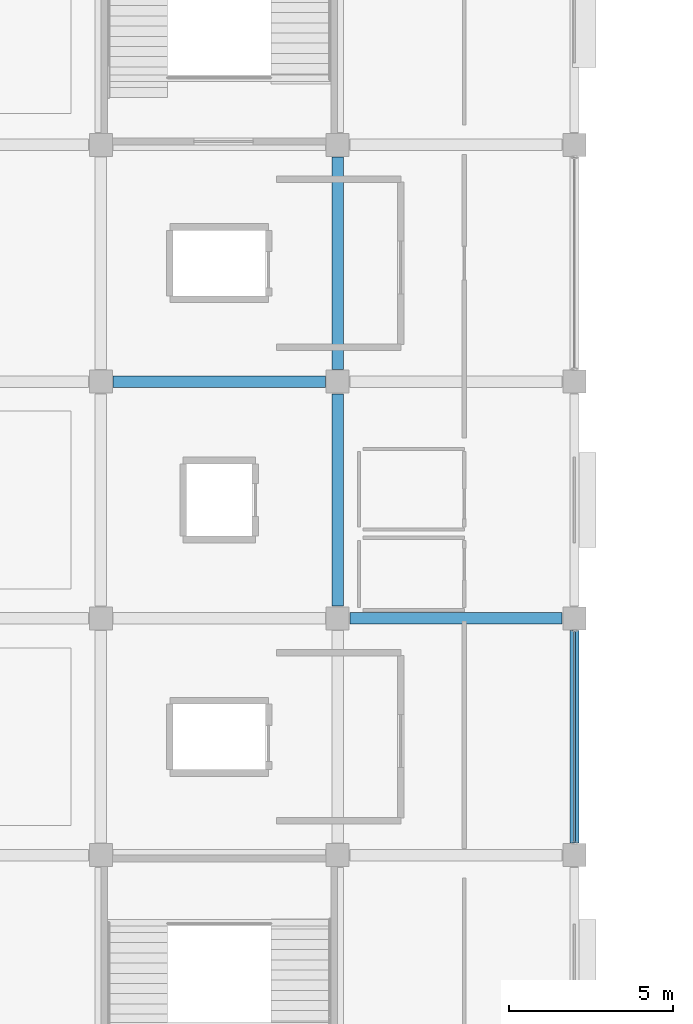
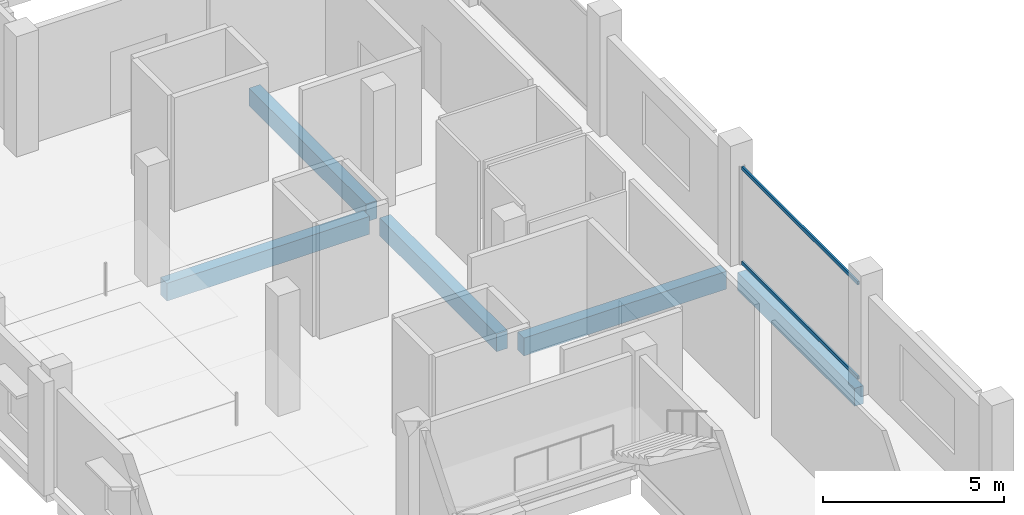
# One storey, part 12 of 77: 5 beams, 2 members, 1 element without a shape of its own.
"""IFC4 building model written with IfcOpenShell, lengths in metres."""

from ifc_helpers import new_model, si_unit, direction, frame, origin, origin_2d, place, context, subcontext, project, spatial, rectangle, hollow_rectangle, extrude, material, layer, layer_set, material_profile, profile_set, type_object, element, aggregate, save


model = new_model("IFC4")

# Units and contexts
model_context = context("Model", 3, precision=1e-05, world=origin(), true_north=direction((0.0, 1.0)))
body_context = subcontext(model_context, "Body", "Model", "MODEL_VIEW")
ifc_project = project(units=[si_unit("LENGTHUNIT", "METRE"), si_unit("AREAUNIT", "SQUARE_METRE"), si_unit("VOLUMEUNIT", "CUBIC_METRE"), si_unit("PLANEANGLEUNIT", "RADIAN"), si_unit("MASSUNIT", "GRAM", prefix="KILO")], contexts=[model_context])

# Site, building, storey
site_placement = place(None, origin())
site = spatial("IfcSite", under=ifc_project, at=site_placement, CompositionType="ELEMENT")
building_placement = place(site_placement, origin())
building = spatial("IfcBuilding", under=site, at=building_placement, Name="Kangsadwip Square Police Headquarters", CompositionType="ELEMENT")
storey_placement = place(building_placement, frame((0.0, 0.0, 17.550048828125)))
storey = spatial("IfcBuildingStorey", under=building, at=storey_placement, Name="L04", CompositionType="ELEMENT", Elevation=17.550048828125)

# Curtain wall, members
ifc_material_1 = material(Name="Thermally broken anodised aluminium AW-6063-T6", Category="aluminium")
ifc_layer = layer(ifc_material_1, 0.159912109375)
ifc_layer_set = layer_set([ifc_layer], Name="Thermally broken anodised aluminium AW-6063-T6")
curtain_wall_type = type_object("IfcCurtainWallType", Name="CourtScreen6510x3300", PredefinedType="USERDEFINED", material=ifc_layer_set)
curtain_wall_placement = place(storey_placement, origin())
curtain_wall = element("IfcCurtainWall", 1, at=curtain_wall_placement, inside=storey, type_object=curtain_wall_type, Name="Curtain Wall CW-L04-0216-0507", ObjectType="GLAZED_SCREEN", PredefinedType="USERDEFINED")
ifc_material_2 = material(Name="Thermally broken anodised aluminium AW-6063-T6", Category="aluminium")
ifc_material_profile_1 = material_profile(ifc_material_2, hollow_rectangle(XDim=0.06005859375, YDim=0.1201171875, WallThickness=0.00390625, at=origin_2d()), Name="CWT 120X60X4")
ifc_profile_set_1 = profile_set([ifc_material_profile_1], Name="Thermally broken anodised aluminium AW-6063-T6")
member_type = type_object("IfcMemberType", Name="CwTransom120x55", PredefinedType="USERDEFINED", material=ifc_profile_set_1)
member_1_placement = place(storey_placement, frame((21.60009765625, 50.804931640625, 0.06005859375), z_axis=(0.0, 1.0, 0.0), x_axis=(-1.0, 0.0, 0.0)))
member_1 = element("IfcMember", 2, at=member_1_placement, type_object=member_type, Name="CW-46 transom 1.1", ObjectType="TRANSOM", PredefinedType="USERDEFINED", context=body_context, shape_type="SweptSolid", body=[
    extrude(hollow_rectangle(XDim=0.06005859375, YDim=0.1201171875, WallThickness=0.00390625, at=origin_2d()), origin(), (0.0, 0.0, 1.0), 6.39013671875),
])
member_2_placement = place(storey_placement, frame((21.60009765625, 50.804931640625, 3.239990234375), z_axis=(0.0, 1.0, 0.0), x_axis=(-1.0, 0.0, 0.0)))
member_2 = element("IfcMember", 3, at=member_2_placement, type_object=member_type, Name="CW-46 transom 1.2", ObjectType="TRANSOM", PredefinedType="USERDEFINED", context=body_context, shape_type="SweptSolid", body=[
    extrude(hollow_rectangle(XDim=0.06005859375, YDim=0.1201171875, WallThickness=0.00390625, at=origin_2d()), origin(), (0.0, 0.0, 1.0), 6.39013671875),
])
aggregate(curtain_wall, [member_1, member_2])

# Beams
ifc_material_3 = material(Name="Concrete M35 (35 MPa)", Category="concrete")
ifc_material_profile_2 = material_profile(ifc_material_3, rectangle(XDim=0.35009765625, YDim=0.60009765625, at=origin_2d()), Name="RC BM 600X350")
ifc_profile_set_2 = profile_set([ifc_material_profile_2], Name="Concrete M35 (35 MPa)")
beam_type_1 = type_object("IfcBeamType", Name="RcBeam600x350", PredefinedType="BEAM", material=ifc_profile_set_2)
beam_1_placement = place(storey_placement, frame((14.77490234375, 57.60009765625, -0.5400390625), z_axis=(1.0, 0.0, 0.0), x_axis=(0.0, 1.0, 0.0)))
element("IfcBeam", 4, at=beam_1_placement, inside=storey, type_object=beam_type_1, Name="Beam BM-L04-X-02-08", PredefinedType="BEAM", context=body_context, shape_type="SweptSolid", body=[
    extrude(rectangle(XDim=0.35009765625, YDim=0.60009765625, at=origin_2d()), origin(), (0.0, 0.0, 1.0), 6.4501953125),
])
for number, where, z_axis, x_axis, name in (
    (5, (7.574951171875, 64.800048828125, -0.5400390625), (1.0, 0.0, 0.0), (0.0, 1.0, 0.0), "Beam BM-L04-X-01-09"),
    (6, (14.39990234375, 57.97509765625, -0.5400390625), (0.0, 1.0, 0.0), (-1.0, 0.0, 0.0), "Beam BM-L04-Y-02-08"),
    (7, (14.39990234375, 65.175048828125, -0.5400390625), (0.0, 1.0, 0.0), (-1.0, 0.0, 0.0), "Beam BM-L04-Y-02-09"),
):
    element("IfcBeam", number, at=place(storey_placement, frame(where, z_axis=z_axis, x_axis=x_axis)), inside=storey, type_object=beam_type_1, Name=name, PredefinedType="BEAM", context=body_context, shape_type="SweptSolid", body=[
        extrude(rectangle(XDim=0.35009765625, YDim=0.60009765625, at=origin_2d()), origin(), (0.0, 0.0, 1.0), 6.449951171875),
    ])
ifc_material_4 = material(Name="Concrete M40 (40 MPa)", Category="concrete")
ifc_material_profile_3 = material_profile(ifc_material_4, rectangle(XDim=0.280029296875, YDim=0.60009765625, at=origin_2d()), Name="RC SPN 600X280")
ifc_profile_set_3 = profile_set([ifc_material_profile_3], Name="Concrete M40 (40 MPa)")
beam_type_2 = type_object("IfcBeamType", Name="RcSpandrel600x280", PredefinedType="SPANDREL", material=ifc_profile_set_3)
beam_2_placement = place(storey_placement, frame((21.60009765625, 50.77490234375, -0.5400390625), z_axis=(0.0, 1.0, 0.0), x_axis=(-1.0, 0.0, 0.0)))
element("IfcBeam", 8, at=beam_2_placement, inside=storey, type_object=beam_type_2, Name="Beam BM-L04-Y-03-07", PredefinedType="SPANDREL", context=body_context, shape_type="SweptSolid", body=[
    extrude(rectangle(XDim=0.280029296875, YDim=0.60009765625, at=origin_2d()), origin(), (0.0, 0.0, 1.0), 6.4501953125),
])

save(model, "model.ifc")
